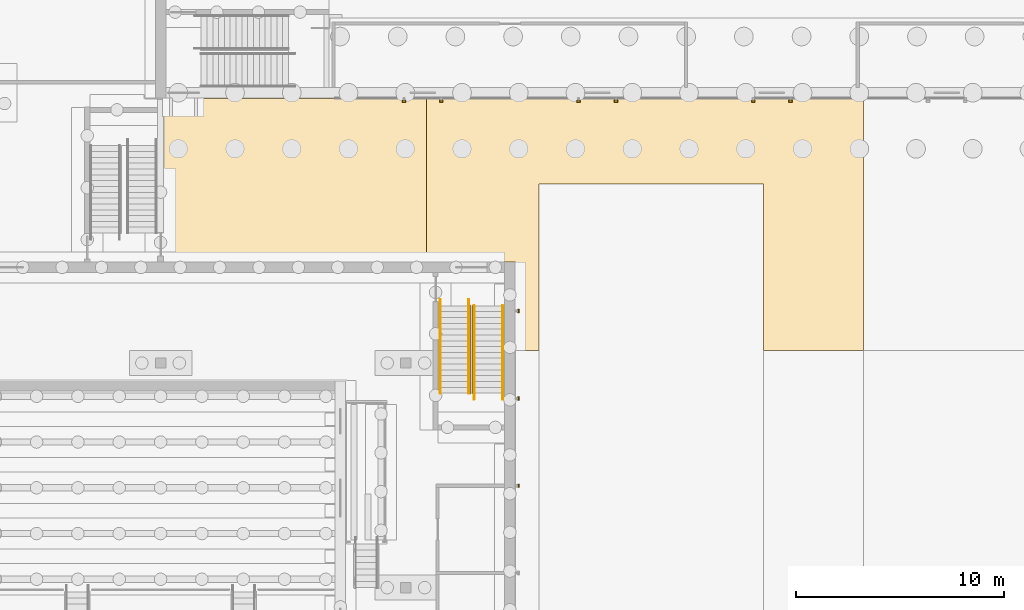
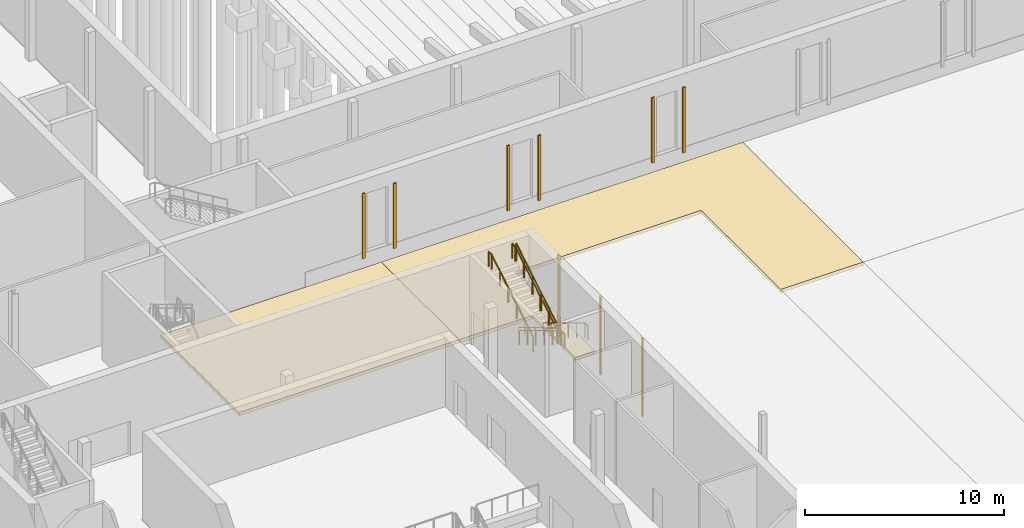
# One storey, part 100 of 127: 9 shading devices, 6 railings, 2 coverings.
"""IFC4 building model written with IfcOpenShell, lengths in metres."""

from ifc_helpers import new_model, si_unit, direction, frame, origin, origin_2d, place, context, subcontext, project, spatial, polyline, rectangle, circle, outline, extrude, material, layer, layer_set, type_object, element, save


model = new_model("IFC4")

# Units and contexts
model_context = context("Model", 3, precision=1e-05, world=origin(), true_north=direction((0.0, 1.0)))
body_context = subcontext(model_context, "Body", "Model", "MODEL_VIEW")
ifc_project = project(units=[si_unit("LENGTHUNIT", "METRE"), si_unit("AREAUNIT", "SQUARE_METRE"), si_unit("VOLUMEUNIT", "CUBIC_METRE"), si_unit("PLANEANGLEUNIT", "RADIAN"), si_unit("MASSUNIT", "GRAM", prefix="KILO")], contexts=[model_context])

# Site, building, storey
site_placement = place(None, origin())
site = spatial("IfcSite", under=ifc_project, at=site_placement, CompositionType="ELEMENT")
building_placement = place(site_placement, origin())
building = spatial("IfcBuilding", under=site, at=building_placement, Name="Ljudholm Concert House", CompositionType="ELEMENT")
storey_placement = place(building_placement, origin())
storey = spatial("IfcBuildingStorey", under=building, at=storey_placement, Name="L00", CompositionType="ELEMENT", Elevation=0.0)

# Shading devices
ifc_material_1 = material(Name="Aluminium extrusion with timber-grain PVDF finish", Category="aluminium")
shading_device_type = type_object("IfcShadingDeviceType", Name="FACADE FIN 80x160", PredefinedType="SHUTTER", material=ifc_material_1)
for number, where, z_axis, x_axis, name in (
    (1, (40.89990234375, 53.989990234375, 0.699951171875), (0.0, 0.0, 1.0), (0.0, -1.0, 0.0), "Facade fin"),
    (2, (42.699951171875, 53.989990234375, 0.699951171875), (0.0, 0.0, 1.0), (0.0, -1.0, 0.0), "Facade fin"),
    (3, (49.300048828125, 53.989990234375, 0.699951171875), (0.0, 0.0, 1.0), (0.0, -1.0, 0.0), "Facade fin"),
    (4, (51.10009765625, 53.989990234375, 0.699951171875), (0.0, 0.0, 1.0), (0.0, -1.0, 0.0), "Facade fin"),
    (5, (57.699951171875, 53.989990234375, 0.699951171875), (0.0, 0.0, 1.0), (0.0, -1.0, 0.0), "Facade fin"),
    (6, (59.5, 53.989990234375, 0.699951171875), (0.0, 0.0, 1.0), (0.0, -1.0, 0.0), "Facade fin"),
):
    element("IfcShadingDevice", number, at=place(storey_placement, frame(where, z_axis=z_axis, x_axis=x_axis)), inside=storey, type_object=shading_device_type, Name=name, PredefinedType="SHUTTER", context=body_context, shape_type="SweptSolid", body=[
        extrude(rectangle(XDim=0.080078125, YDim=0.159912109375, at=origin_2d()), origin(), (0.0, 0.0, 1.0), 4.0),
    ])
for number, where, z_axis, x_axis, name in (
    (7, (46.409912109375, 35.5, 0.2998046875), (0.0, 0.0, 1.0), (1.0, 0.0, 0.0), "Facade fin"),
    (8, (46.409912109375, 39.699951171875, 0.2998046875), (0.0, 0.0, 1.0), (1.0, 0.0, 0.0), "Facade fin"),
    (9, (46.409912109375, 43.89990234375, 0.2998046875), (0.0, 0.0, 1.0), (1.0, 0.0, 0.0), "Facade fin"),
):
    element("IfcShadingDevice", number, at=place(storey_placement, frame(where, z_axis=z_axis, x_axis=x_axis)), inside=storey, type_object=shading_device_type, Name=name, PredefinedType="SHUTTER", context=body_context, shape_type="SweptSolid", body=[
        extrude(rectangle(XDim=0.080078125, YDim=0.159912109375, at=origin_2d()), origin(), (0.0, 0.0, 1.0), 4.800048828125),
    ])

# Railings
ifc_material_2 = material(Name="Steel ASTM A36", Category="steel")
railing_type_1 = type_object("IfcRailingType", Name="GUARD 1100", PredefinedType="GUARDRAIL", material=ifc_material_2)
railing_1_placement = place(storey_placement, frame((44.22509765625, 44.14990234375, 0.168701171875)))
element("IfcRailing", 10, at=railing_1_placement, inside=storey, type_object=railing_type_1, Name="Guard", PredefinedType="GUARDRAIL", context=body_context, shape_type="SweptSolid", body=[
    extrude(circle(Radius=0.02490234375, at=origin_2d()), frame((0.0, 0.0, 1.0751953125), z_axis=(0.0, -0.856392657067, 0.516325107778), x_axis=(1.0, 0.0, 0.0)), (0.0, 0.0, 1.0), 0.980712890625),
    extrude(circle(Radius=0.02490234375, at=origin_2d()), frame((0.0, -0.83984375, 1.58154296875), z_axis=(0.0, -0.856569041035, 0.516032438845), x_axis=(1.0, 0.0, 0.0)), (0.0, 0.0, 1.0), 0.980712890625),
    extrude(circle(Radius=0.02490234375, at=origin_2d()), frame((0.0, -1.679931640625, 2.08740234375), z_axis=(0.0, -0.856459004192, 0.516215046409), x_axis=(1.0, 0.0, 0.0)), (0.0, 0.0, 1.0), 0.98095703125),
    extrude(circle(Radius=0.02490234375, at=origin_2d()), frame((0.0, -2.52001953125, 2.59375), z_axis=(0.0, -0.856392657067, 0.516325107778), x_axis=(1.0, 0.0, 0.0)), (0.0, 0.0, 1.0), 0.980712890625),
    extrude(circle(Radius=0.02490234375, at=origin_2d()), frame((0.0, -3.35986328125, 3.10009765625), z_axis=(0.0, -0.856569041035, 0.516032438845), x_axis=(1.0, 0.0, 0.0)), (0.0, 0.0, 1.0), 0.980712890625),
    extrude(circle(Radius=0.02099609375, at=origin_2d()), origin(), (0.0, 0.0, 1.0), 1.050048828125),
    extrude(circle(Radius=0.02099609375, at=origin_2d()), frame((0.0, -0.83984375, 0.50634765625)), (0.0, 0.0, 1.0), 1.050048828125),
    extrude(circle(Radius=0.02099609375, at=origin_2d()), frame((0.0, -1.679931640625, 1.012451171875)), (0.0, 0.0, 1.0), 1.050048828125),
    extrude(circle(Radius=0.02099609375, at=origin_2d()), frame((0.0, -2.52001953125, 1.518798828125)), (0.0, 0.0, 1.0), 1.050048828125),
    extrude(circle(Radius=0.02099609375, at=origin_2d()), frame((0.0, -3.35986328125, 2.025146484375)), (0.0, 0.0, 1.0), 1.050048828125),
    extrude(circle(Radius=0.02099609375, at=origin_2d()), frame((0.0, -4.199951171875, 2.53125)), (0.0, 0.0, 1.0), 1.050048828125),
])
railing_2_placement = place(storey_placement, frame((44.074951171875, 39.949951171875, 2.86865234375)))
element("IfcRailing", 11, at=railing_2_placement, inside=storey, type_object=railing_type_1, Name="Guard", PredefinedType="GUARDRAIL", context=body_context, shape_type="SweptSolid", body=[
    extrude(circle(Radius=0.02490234375, at=origin_2d()), frame((0.0, 0.0, 1.0751953125), z_axis=(0.0, 0.856459004192, 0.516215046409), x_axis=(-1.0, 0.0, 0.0)), (0.0, 0.0, 1.0), 0.98095703125),
    extrude(circle(Radius=0.02490234375, at=origin_2d()), frame((0.0, 0.840087890625, 1.58154296875), z_axis=(0.0, 0.856392657067, 0.516325107778), x_axis=(-1.0, 0.0, 0.0)), (0.0, 0.0, 1.0), 0.980712890625),
    extrude(circle(Radius=0.02490234375, at=origin_2d()), frame((0.0, 1.679931640625, 2.087890625), z_axis=(0.0, 0.856569041035, 0.516032438845), x_axis=(-1.0, 0.0, 0.0)), (0.0, 0.0, 1.0), 0.980712890625),
    extrude(circle(Radius=0.02490234375, at=origin_2d()), frame((0.0, 2.52001953125, 2.59375), z_axis=(0.0, 0.856459004192, 0.516215046409), x_axis=(-1.0, 0.0, 0.0)), (0.0, 0.0, 1.0), 0.98095703125),
    extrude(circle(Radius=0.02490234375, at=origin_2d()), frame((0.0, 3.360107421875, 3.10009765625), z_axis=(0.0, 0.856502732318, 0.516142489563), x_axis=(-1.0, 0.0, 0.0)), (0.0, 0.0, 1.0), 0.98046875),
    extrude(circle(Radius=0.02099609375, at=origin_2d()), origin(), (0.0, 0.0, 1.0), 1.050048828125),
    extrude(circle(Radius=0.02099609375, at=origin_2d()), frame((0.0, 0.840087890625, 0.50634765625)), (0.0, 0.0, 1.0), 1.050048828125),
    extrude(circle(Radius=0.02099609375, at=origin_2d()), frame((0.0, 1.679931640625, 1.0126953125)), (0.0, 0.0, 1.0), 1.050048828125),
    extrude(circle(Radius=0.02099609375, at=origin_2d()), frame((0.0, 2.52001953125, 1.518798828125)), (0.0, 0.0, 1.0), 1.050048828125),
    extrude(circle(Radius=0.02099609375, at=origin_2d()), frame((0.0, 3.360107421875, 2.025146484375)), (0.0, 0.0, 1.0), 1.050048828125),
    extrude(circle(Radius=0.02099609375, at=origin_2d()), frame((0.0, 4.199951171875, 2.53125)), (0.0, 0.0, 1.0), 1.050048828125),
])
ifc_material_3 = material(Name="Steel ASTM A36", Category="steel")
railing_type_2 = type_object("IfcRailingType", Name="HANDRAIL 900", PredefinedType="HANDRAIL", material=ifc_material_3)
railing_3_placement = place(storey_placement, frame((45.64990234375, 44.14990234375, 0.168701171875)))
element("IfcRailing", 12, at=railing_3_placement, inside=storey, type_object=railing_type_2, Name="Handrail", PredefinedType="HANDRAIL", context=body_context, shape_type="SweptSolid", body=[
    extrude(circle(Radius=0.0224609375, at=origin_2d()), frame((0.0, 0.0, 0.87744140625), z_axis=(0.0, -0.856392657067, 0.516325107778), x_axis=(1.0, 0.0, 0.0)), (0.0, 0.0, 1.0), 0.980712890625),
    extrude(circle(Radius=0.0224609375, at=origin_2d()), frame((0.0, -0.83984375, 1.3837890625), z_axis=(0.0, -0.856569041035, 0.516032438845), x_axis=(1.0, 0.0, 0.0)), (0.0, 0.0, 1.0), 0.980712890625),
    extrude(circle(Radius=0.0224609375, at=origin_2d()), frame((0.0, -1.679931640625, 1.889892578125), z_axis=(0.0, -0.856459004192, 0.516215046409), x_axis=(1.0, 0.0, 0.0)), (0.0, 0.0, 1.0), 0.98095703125),
    extrude(circle(Radius=0.0224609375, at=origin_2d()), frame((0.0, -2.52001953125, 2.396240234375), z_axis=(0.0, -0.856392657067, 0.516325107778), x_axis=(1.0, 0.0, 0.0)), (0.0, 0.0, 1.0), 0.980712890625),
    extrude(circle(Radius=0.0224609375, at=origin_2d()), frame((0.0, -3.35986328125, 2.902587890625), z_axis=(0.0, -0.856569041035, 0.516032438845), x_axis=(1.0, 0.0, 0.0)), (0.0, 0.0, 1.0), 0.980712890625),
    extrude(circle(Radius=0.0224609375, at=origin_2d()), frame((0.0, -4.199951171875, 3.40869140625), z_axis=(0.0, -1.0, 0.0), x_axis=(1.0, 0.0, 0.0)), (0.0, 0.0, 1.0), 0.300048828125),
    extrude(circle(Radius=0.02099609375, at=origin_2d()), origin(), (0.0, 0.0, 1.0), 0.85498046875),
    extrude(circle(Radius=0.02099609375, at=origin_2d()), frame((0.0, -0.83984375, 0.50634765625)), (0.0, 0.0, 1.0), 0.85498046875),
    extrude(circle(Radius=0.02099609375, at=origin_2d()), frame((0.0, -1.679931640625, 1.012451171875)), (0.0, 0.0, 1.0), 0.85498046875),
    extrude(circle(Radius=0.02099609375, at=origin_2d()), frame((0.0, -2.52001953125, 1.518798828125)), (0.0, 0.0, 1.0), 0.85498046875),
    extrude(circle(Radius=0.02099609375, at=origin_2d()), frame((0.0, -3.35986328125, 2.025146484375)), (0.0, 0.0, 1.0), 0.85498046875),
    extrude(circle(Radius=0.02099609375, at=origin_2d()), frame((0.0, -4.199951171875, 2.53125)), (0.0, 0.0, 1.0), 0.85498046875),
    extrude(circle(Radius=0.02099609375, at=origin_2d()), frame((0.0, -4.5, 2.53125)), (0.0, 0.0, 1.0), 0.85498046875),
])
railing_4_placement = place(storey_placement, frame((44.27490234375, 44.14990234375, 0.168701171875)))
element("IfcRailing", 13, at=railing_4_placement, inside=storey, type_object=railing_type_2, Name="Handrail", PredefinedType="HANDRAIL", context=body_context, shape_type="SweptSolid", body=[
    extrude(circle(Radius=0.0224609375, at=origin_2d()), frame((0.0, 0.0, 0.87744140625), z_axis=(0.0, -0.856392657067, 0.516325107778), x_axis=(1.0, 0.0, 0.0)), (0.0, 0.0, 1.0), 0.980712890625),
    extrude(circle(Radius=0.0224609375, at=origin_2d()), frame((0.0, -0.83984375, 1.3837890625), z_axis=(0.0, -0.856569041035, 0.516032438845), x_axis=(1.0, 0.0, 0.0)), (0.0, 0.0, 1.0), 0.980712890625),
    extrude(circle(Radius=0.0224609375, at=origin_2d()), frame((0.0, -1.679931640625, 1.889892578125), z_axis=(0.0, -0.856459004192, 0.516215046409), x_axis=(1.0, 0.0, 0.0)), (0.0, 0.0, 1.0), 0.98095703125),
    extrude(circle(Radius=0.0224609375, at=origin_2d()), frame((0.0, -2.52001953125, 2.396240234375), z_axis=(0.0, -0.856392657067, 0.516325107778), x_axis=(1.0, 0.0, 0.0)), (0.0, 0.0, 1.0), 0.980712890625),
    extrude(circle(Radius=0.0224609375, at=origin_2d()), frame((0.0, -3.35986328125, 2.902587890625), z_axis=(0.0, -0.856569041035, 0.516032438845), x_axis=(1.0, 0.0, 0.0)), (0.0, 0.0, 1.0), 0.980712890625),
    extrude(circle(Radius=0.0224609375, at=origin_2d()), frame((0.0, -4.199951171875, 3.40869140625), z_axis=(0.0, -1.0, 0.0), x_axis=(1.0, 0.0, 0.0)), (0.0, 0.0, 1.0), 0.300048828125),
    extrude(circle(Radius=0.02099609375, at=origin_2d()), origin(), (0.0, 0.0, 1.0), 0.85498046875),
    extrude(circle(Radius=0.02099609375, at=origin_2d()), frame((0.0, -0.83984375, 0.50634765625)), (0.0, 0.0, 1.0), 0.85498046875),
    extrude(circle(Radius=0.02099609375, at=origin_2d()), frame((0.0, -1.679931640625, 1.012451171875)), (0.0, 0.0, 1.0), 0.85498046875),
    extrude(circle(Radius=0.02099609375, at=origin_2d()), frame((0.0, -2.52001953125, 1.518798828125)), (0.0, 0.0, 1.0), 0.85498046875),
    extrude(circle(Radius=0.02099609375, at=origin_2d()), frame((0.0, -3.35986328125, 2.025146484375)), (0.0, 0.0, 1.0), 0.85498046875),
    extrude(circle(Radius=0.02099609375, at=origin_2d()), frame((0.0, -4.199951171875, 2.53125)), (0.0, 0.0, 1.0), 0.85498046875),
    extrude(circle(Radius=0.02099609375, at=origin_2d()), frame((0.0, -4.5, 2.53125)), (0.0, 0.0, 1.0), 0.85498046875),
])
railing_5_placement = place(storey_placement, frame((42.64990234375, 39.949951171875, 2.86865234375)))
element("IfcRailing", 14, at=railing_5_placement, inside=storey, type_object=railing_type_2, Name="Handrail", PredefinedType="HANDRAIL", context=body_context, shape_type="SweptSolid", body=[
    extrude(circle(Radius=0.0224609375, at=origin_2d()), frame((0.0, 0.0, 0.87744140625), z_axis=(0.0, 0.856459004192, 0.516215046409), x_axis=(-1.0, 0.0, 0.0)), (0.0, 0.0, 1.0), 0.98095703125),
    extrude(circle(Radius=0.0224609375, at=origin_2d()), frame((0.0, 0.840087890625, 1.3837890625), z_axis=(0.0, 0.856392657067, 0.516325107778), x_axis=(-1.0, 0.0, 0.0)), (0.0, 0.0, 1.0), 0.980712890625),
    extrude(circle(Radius=0.0224609375, at=origin_2d()), frame((0.0, 1.679931640625, 1.89013671875), z_axis=(0.0, 0.856569041035, 0.516032438845), x_axis=(-1.0, 0.0, 0.0)), (0.0, 0.0, 1.0), 0.980712890625),
    extrude(circle(Radius=0.0224609375, at=origin_2d()), frame((0.0, 2.52001953125, 2.396240234375), z_axis=(0.0, 0.856459004192, 0.516215046409), x_axis=(-1.0, 0.0, 0.0)), (0.0, 0.0, 1.0), 0.98095703125),
    extrude(circle(Radius=0.0224609375, at=origin_2d()), frame((0.0, 3.360107421875, 2.902587890625), z_axis=(0.0, 0.856502732318, 0.516142489563), x_axis=(-1.0, 0.0, 0.0)), (0.0, 0.0, 1.0), 0.98046875),
    extrude(circle(Radius=0.0224609375, at=origin_2d()), frame((0.0, 4.199951171875, 3.40869140625), z_axis=(0.0, 1.0, 0.0), x_axis=(-1.0, 0.0, 0.0)), (0.0, 0.0, 1.0), 0.300048828125),
    extrude(circle(Radius=0.02099609375, at=origin_2d()), origin(), (0.0, 0.0, 1.0), 0.85498046875),
    extrude(circle(Radius=0.02099609375, at=origin_2d()), frame((0.0, 0.840087890625, 0.50634765625)), (0.0, 0.0, 1.0), 0.85498046875),
    extrude(circle(Radius=0.02099609375, at=origin_2d()), frame((0.0, 1.679931640625, 1.0126953125)), (0.0, 0.0, 1.0), 0.85498046875),
    extrude(circle(Radius=0.02099609375, at=origin_2d()), frame((0.0, 2.52001953125, 1.518798828125)), (0.0, 0.0, 1.0), 0.85498046875),
    extrude(circle(Radius=0.02099609375, at=origin_2d()), frame((0.0, 3.360107421875, 2.025146484375)), (0.0, 0.0, 1.0), 0.85498046875),
    extrude(circle(Radius=0.02099609375, at=origin_2d()), frame((0.0, 4.199951171875, 2.53125)), (0.0, 0.0, 1.0), 0.85498046875),
    extrude(circle(Radius=0.02099609375, at=origin_2d()), frame((0.0, 4.5, 2.53125)), (0.0, 0.0, 1.0), 0.85498046875),
])
railing_6_placement = place(storey_placement, frame((44.02490234375, 39.949951171875, 2.86865234375)))
element("IfcRailing", 15, at=railing_6_placement, inside=storey, type_object=railing_type_2, Name="Handrail", PredefinedType="HANDRAIL", context=body_context, shape_type="SweptSolid", body=[
    extrude(circle(Radius=0.0224609375, at=origin_2d()), frame((0.0, 0.0, 0.87744140625), z_axis=(0.0, 0.856459004192, 0.516215046409), x_axis=(-1.0, 0.0, 0.0)), (0.0, 0.0, 1.0), 0.98095703125),
    extrude(circle(Radius=0.0224609375, at=origin_2d()), frame((0.0, 0.840087890625, 1.3837890625), z_axis=(0.0, 0.856392657067, 0.516325107778), x_axis=(-1.0, 0.0, 0.0)), (0.0, 0.0, 1.0), 0.980712890625),
    extrude(circle(Radius=0.0224609375, at=origin_2d()), frame((0.0, 1.679931640625, 1.89013671875), z_axis=(0.0, 0.856569041035, 0.516032438845), x_axis=(-1.0, 0.0, 0.0)), (0.0, 0.0, 1.0), 0.980712890625),
    extrude(circle(Radius=0.0224609375, at=origin_2d()), frame((0.0, 2.52001953125, 2.396240234375), z_axis=(0.0, 0.856459004192, 0.516215046409), x_axis=(-1.0, 0.0, 0.0)), (0.0, 0.0, 1.0), 0.98095703125),
    extrude(circle(Radius=0.0224609375, at=origin_2d()), frame((0.0, 3.360107421875, 2.902587890625), z_axis=(0.0, 0.856502732318, 0.516142489563), x_axis=(-1.0, 0.0, 0.0)), (0.0, 0.0, 1.0), 0.98046875),
    extrude(circle(Radius=0.0224609375, at=origin_2d()), frame((0.0, 4.199951171875, 3.40869140625), z_axis=(0.0, 1.0, 0.0), x_axis=(-1.0, 0.0, 0.0)), (0.0, 0.0, 1.0), 0.300048828125),
    extrude(circle(Radius=0.02099609375, at=origin_2d()), origin(), (0.0, 0.0, 1.0), 0.85498046875),
    extrude(circle(Radius=0.02099609375, at=origin_2d()), frame((0.0, 0.840087890625, 0.50634765625)), (0.0, 0.0, 1.0), 0.85498046875),
    extrude(circle(Radius=0.02099609375, at=origin_2d()), frame((0.0, 1.679931640625, 1.0126953125)), (0.0, 0.0, 1.0), 0.85498046875),
    extrude(circle(Radius=0.02099609375, at=origin_2d()), frame((0.0, 2.52001953125, 1.518798828125)), (0.0, 0.0, 1.0), 0.85498046875),
    extrude(circle(Radius=0.02099609375, at=origin_2d()), frame((0.0, 3.360107421875, 2.025146484375)), (0.0, 0.0, 1.0), 0.85498046875),
    extrude(circle(Radius=0.02099609375, at=origin_2d()), frame((0.0, 4.199951171875, 2.53125)), (0.0, 0.0, 1.0), 0.85498046875),
    extrude(circle(Radius=0.02099609375, at=origin_2d()), frame((0.0, 4.5, 2.53125)), (0.0, 0.0, 1.0), 0.85498046875),
])

# Coverings
ifc_material_4 = material(Name="Precast concrete pavers on compacted sand bed", Category="concrete")
ifc_layer = layer(ifc_material_4, 0.199951171875)
ifc_layer_set = layer_set([ifc_layer], Name="Precast concrete pavers on compacted sand bed")
covering_type = type_object("IfcCoveringType", Name="PRECAST CONCRETE PAVERS ON COMPACTED SAND BED PAVING 200", PredefinedType="USERDEFINED", material=ifc_layer_set)
covering_1_placement = place(storey_placement, frame((0.0, 0.0, -0.199951171875)))
element("IfcCovering", 16, at=covering_1_placement, inside=storey, type_object=covering_type, Name="Paving", ObjectType="PAVING", PredefinedType="USERDEFINED", context=body_context, shape_type="SweptSolid", body=[
    extrude(outline(polyline([(29.199951171875, 46.27001953125), (29.199951171875, 54.14990234375), (29.429931640625, 54.14990234375), (29.431640625, 54.142333984375), (29.435791015625, 54.1357421875), (29.4423828125, 54.131591796875), (29.449951171875, 54.1298828125), (42.0, 54.1298828125), (42.0, 46.27001953125), (29.199951171875, 46.27001953125)])), origin(), (0.0, 0.0, 1.0), 0.199951171875),
])
covering_2_placement = place(storey_placement, frame((0.0, 0.0, -0.199951171875)))
element("IfcCovering", 17, at=covering_2_placement, inside=storey, type_object=covering_type, Name="Paving", ObjectType="PAVING", PredefinedType="USERDEFINED", context=body_context, shape_type="SweptSolid", body=[
    extrude(outline(polyline([(46.27001953125, 46.22998046875), (46.2685546875, 46.237548828125), (46.265380859375, 46.24267578125), (46.259521484375, 46.24755859375), (46.251953125, 46.25), (45.77001953125, 46.25), (45.7685546875, 46.257568359375), (45.76416015625, 46.26416015625), (45.757568359375, 46.2685546875), (45.75, 46.27001953125), (42.0, 46.27001953125), (42.0, 54.1298828125), (63.0, 54.1298828125), (63.0, 42.0), (58.199951171875, 42.0), (58.199951171875, 50.0), (47.39990234375, 50.0), (47.39990234375, 42.0), (46.27001953125, 42.0), (46.27001953125, 46.22998046875)])), origin(), (0.0, 0.0, 1.0), 0.199951171875),
])

save(model, "model.ifc")
